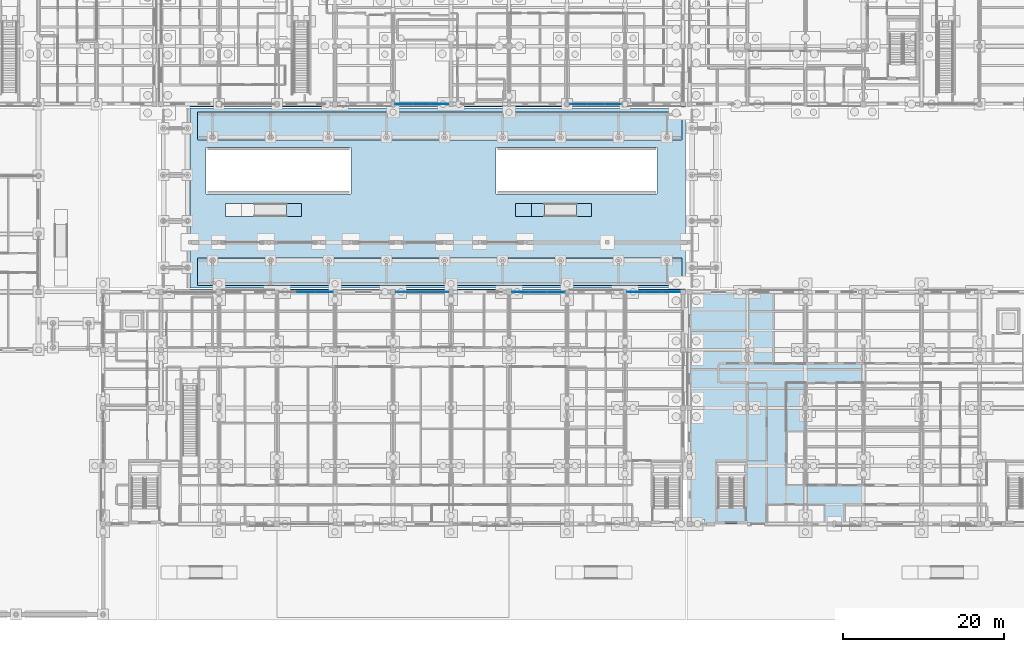
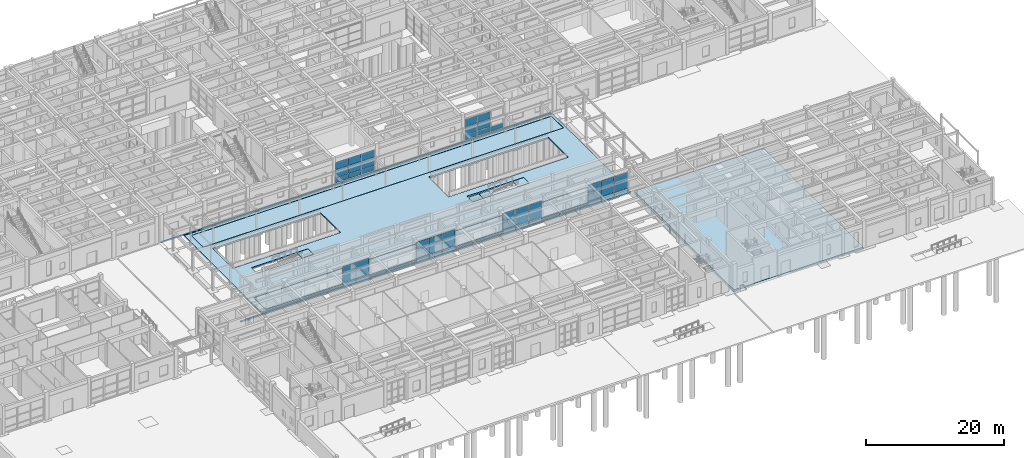
# One storey, part 82 of 143: 49 plates, 10 slabs, 8 elements without a shape of their own.
"""IFC4 building model written with IfcOpenShell, lengths in metres."""

from ifc_helpers import new_model, si_unit, direction, frame, origin, origin_2d, place, context, subcontext, project, spatial, polyline, rectangle, outline, extrude, material, layer, layer_set, type_object, element, aggregate, save


model = new_model("IFC4")

# Units and contexts
model_context = context("Model", 3, precision=1e-05, world=origin(), true_north=direction((0.0, 1.0)))
body_context = subcontext(model_context, "Body", "Model", "MODEL_VIEW")
ifc_project = project(units=[si_unit("LENGTHUNIT", "METRE"), si_unit("AREAUNIT", "SQUARE_METRE"), si_unit("VOLUMEUNIT", "CUBIC_METRE"), si_unit("PLANEANGLEUNIT", "RADIAN"), si_unit("MASSUNIT", "GRAM", prefix="KILO")], contexts=[model_context])

# Site, building, storey
site_placement = place(None, origin())
site = spatial("IfcSite", under=ifc_project, at=site_placement, CompositionType="ELEMENT")
building_placement = place(site_placement, origin())
building = spatial("IfcBuilding", under=site, at=building_placement, Name="Steenspoor Specialist Clinic", CompositionType="ELEMENT")
storey_placement = place(building_placement, origin())
storey = spatial("IfcBuildingStorey", under=building, at=storey_placement, Name="L00", CompositionType="ELEMENT", Elevation=0.0)

# Curtain wall, plates
ifc_material_1 = material(Name="Thermally broken aluminium and low-emissivity glass", Category="aluminium")
curtain_wall_type_1 = type_object("IfcCurtainWallType", Name="CW-TYP-480X355", PredefinedType="USERDEFINED", material=ifc_material_1)
curtain_wall_1_placement = place(storey_placement, origin())
curtain_wall_1 = element("IfcCurtainWall", 1, at=curtain_wall_1_placement, inside=storey, type_object=curtain_wall_type_1, Name="Unitised Curtain Wall CW-V1-L00-012", ObjectType="UNITISED GLAZING", PredefinedType="USERDEFINED")
ifc_material_2 = material(Name="Double low-emissivity insulated glass", Category="glass")
ifc_layer_1 = layer(ifc_material_2, 0.035888671875)
ifc_layer_set_1 = layer_set([ifc_layer_1], Name="Double low-emissivity insulated glass")
plate_type_1 = type_object("IfcPlateType", Name="CW-PAN-GL36", PredefinedType="CURTAIN_PANEL", material=ifc_layer_set_1)
plate_1_placement = place(storey_placement, frame((97.07421875, 41.85009765625, 0.06494140625), z_axis=(0.0, 0.0, 1.0), x_axis=(1.0, 0.0, 0.0)))
plate_1 = element("IfcPlate", 2, at=plate_1_placement, type_object=plate_type_1, Name="CW-12 panel 1.1", PredefinedType="CURTAIN_PANEL", context=body_context, shape_type="SweptSolid", body=[
    extrude(rectangle(XDim=2.08837890625, YDim=0.035888671875, at=origin_2d()), origin(), (0.0, 0.0, 1.0), 0.802490234375),
])
plate_2_placement = place(storey_placement, frame((97.07421875, 41.85009765625, 0.9326171875), z_axis=(0.0, 0.0, 1.0), x_axis=(1.0, 0.0, 0.0)))
plate_2 = element("IfcPlate", 3, at=plate_2_placement, type_object=plate_type_1, Name="CW-12 panel 1.2", PredefinedType="CURTAIN_PANEL", context=body_context, shape_type="SweptSolid", body=[
    extrude(rectangle(XDim=2.08837890625, YDim=0.035888671875, at=origin_2d()), origin(), (0.0, 0.0, 1.0), 1.385009765625),
])
plate_3_placement = place(storey_placement, frame((97.07421875, 41.85009765625, 2.38232421875), z_axis=(0.0, 0.0, 1.0), x_axis=(1.0, 0.0, 0.0)))
plate_3 = element("IfcPlate", 4, at=plate_3_placement, type_object=plate_type_1, Name="CW-12 panel 1.3", PredefinedType="CURTAIN_PANEL", context=body_context, shape_type="SweptSolid", body=[
    extrude(rectangle(XDim=2.08837890625, YDim=0.035888671875, at=origin_2d()), origin(), (0.0, 0.0, 1.0), 1.282470703125),
])
plate_4_placement = place(storey_placement, frame((99.262451171875, 41.85009765625, 0.06494140625), z_axis=(0.0, 0.0, 1.0), x_axis=(1.0, 0.0, 0.0)))
plate_4 = element("IfcPlate", 5, at=plate_4_placement, type_object=plate_type_1, Name="CW-12 panel 2.1", PredefinedType="CURTAIN_PANEL", context=body_context, shape_type="SweptSolid", body=[
    extrude(rectangle(XDim=2.12841796875, YDim=0.035888671875, at=origin_2d()), origin(), (0.0, 0.0, 1.0), 0.802490234375),
])
plate_5_placement = place(storey_placement, frame((99.262451171875, 41.85009765625, 0.9326171875), z_axis=(0.0, 0.0, 1.0), x_axis=(1.0, 0.0, 0.0)))
plate_5 = element("IfcPlate", 6, at=plate_5_placement, type_object=plate_type_1, Name="CW-12 panel 2.2", PredefinedType="CURTAIN_PANEL", context=body_context, shape_type="SweptSolid", body=[
    extrude(rectangle(XDim=2.12841796875, YDim=0.035888671875, at=origin_2d()), origin(), (0.0, 0.0, 1.0), 1.385009765625),
])
plate_6_placement = place(storey_placement, frame((99.262451171875, 41.85009765625, 2.38232421875), z_axis=(0.0, 0.0, 1.0), x_axis=(1.0, 0.0, 0.0)))
plate_6 = element("IfcPlate", 7, at=plate_6_placement, type_object=plate_type_1, Name="CW-12 panel 2.3", PredefinedType="CURTAIN_PANEL", context=body_context, shape_type="SweptSolid", body=[
    extrude(rectangle(XDim=2.12841796875, YDim=0.035888671875, at=origin_2d()), origin(), (0.0, 0.0, 1.0), 1.282470703125),
])
plate_7_placement = place(storey_placement, frame((101.450927734375, 41.85009765625, 0.06494140625), z_axis=(0.0, 0.0, 1.0), x_axis=(1.0, 0.0, 0.0)))
plate_7 = element("IfcPlate", 8, at=plate_7_placement, type_object=plate_type_1, Name="CW-12 panel 3.1", PredefinedType="CURTAIN_PANEL", context=body_context, shape_type="SweptSolid", body=[
    extrude(rectangle(XDim=2.08837890625, YDim=0.035888671875, at=origin_2d()), origin(), (0.0, 0.0, 1.0), 0.802490234375),
])
plate_8_placement = place(storey_placement, frame((101.450927734375, 41.85009765625, 0.9326171875), z_axis=(0.0, 0.0, 1.0), x_axis=(1.0, 0.0, 0.0)))
plate_8 = element("IfcPlate", 9, at=plate_8_placement, type_object=plate_type_1, Name="CW-12 panel 3.2", PredefinedType="CURTAIN_PANEL", context=body_context, shape_type="SweptSolid", body=[
    extrude(rectangle(XDim=2.08837890625, YDim=0.035888671875, at=origin_2d()), origin(), (0.0, 0.0, 1.0), 1.385009765625),
])
plate_9_placement = place(storey_placement, frame((101.450927734375, 41.85009765625, 2.38232421875), z_axis=(0.0, 0.0, 1.0), x_axis=(1.0, 0.0, 0.0)))
plate_9 = element("IfcPlate", 10, at=plate_9_placement, type_object=plate_type_1, Name="CW-12 panel 3.3", PredefinedType="CURTAIN_PANEL", context=body_context, shape_type="SweptSolid", body=[
    extrude(rectangle(XDim=2.08837890625, YDim=0.035888671875, at=origin_2d()), origin(), (0.0, 0.0, 1.0), 1.282470703125),
])
aggregate(curtain_wall_1, [plate_1, plate_2, plate_3, plate_4, plate_5, plate_6, plate_7, plate_8, plate_9])

curtain_wall_type_2 = type_object("IfcCurtainWallType", Name="CW-SCR-480X320", PredefinedType="USERDEFINED", material=ifc_material_1)
curtain_wall_2_placement = place(storey_placement, origin())
curtain_wall_2 = element("IfcCurtainWall", 11, at=curtain_wall_2_placement, inside=storey, type_object=curtain_wall_type_2, Name="Unitised Curtain Wall CW-V4-L00-042", ObjectType="UNITISED GLAZING", PredefinedType="USERDEFINED")
plate_10_placement = place(storey_placement, frame((108.517578125, 65.14990234375, 0.06494140625), z_axis=(0.0, 0.0, 1.0), x_axis=(-1.0, 0.0, 0.0)))
plate_10 = element("IfcPlate", 12, at=plate_10_placement, type_object=plate_type_1, Name="CW-18 panel 1.1", PredefinedType="CURTAIN_PANEL", context=body_context, shape_type="SweptSolid", body=[
    extrude(rectangle(XDim=2.054931640625, YDim=0.035888671875, at=origin_2d()), origin(), (0.0, 0.0, 1.0), 0.802490234375),
])
plate_11_placement = place(storey_placement, frame((106.362548828125, 65.14990234375, 0.06494140625), z_axis=(0.0, 0.0, 1.0), x_axis=(-1.0, 0.0, 0.0)))
plate_11 = element("IfcPlate", 13, at=plate_11_placement, type_object=plate_type_1, Name="CW-18 panel 2.1", PredefinedType="CURTAIN_PANEL", context=body_context, shape_type="SweptSolid", body=[
    extrude(rectangle(XDim=2.094970703125, YDim=0.035888671875, at=origin_2d()), origin(), (0.0, 0.0, 1.0), 0.802490234375),
])
plate_12_placement = place(storey_placement, frame((106.362548828125, 65.14990234375, 0.9326171875), z_axis=(0.0, 0.0, 1.0), x_axis=(-1.0, 0.0, 0.0)))
plate_12 = element("IfcPlate", 14, at=plate_12_placement, type_object=plate_type_1, Name="CW-18 panel 2.2", PredefinedType="CURTAIN_PANEL", context=body_context, shape_type="SweptSolid", body=[
    extrude(rectangle(XDim=2.094970703125, YDim=0.035888671875, at=origin_2d()), origin(), (0.0, 0.0, 1.0), 1.385009765625),
])
plate_13_placement = place(storey_placement, frame((106.362548828125, 65.14990234375, 2.38232421875), z_axis=(0.0, 0.0, 1.0), x_axis=(-1.0, 0.0, 0.0)))
plate_13 = element("IfcPlate", 15, at=plate_13_placement, type_object=plate_type_1, Name="CW-18 panel 2.3", PredefinedType="CURTAIN_PANEL", context=body_context, shape_type="SweptSolid", body=[
    extrude(rectangle(XDim=2.094970703125, YDim=0.035888671875, at=origin_2d()), origin(), (0.0, 0.0, 1.0), 1.282470703125),
])
plate_14_placement = place(storey_placement, frame((104.20751953125, 65.14990234375, 0.06494140625), z_axis=(0.0, 0.0, 1.0), x_axis=(-1.0, 0.0, 0.0)))
plate_14 = element("IfcPlate", 16, at=plate_14_placement, type_object=plate_type_1, Name="CW-18 panel 3.1", PredefinedType="CURTAIN_PANEL", context=body_context, shape_type="SweptSolid", body=[
    extrude(rectangle(XDim=2.054931640625, YDim=0.035888671875, at=origin_2d()), origin(), (0.0, 0.0, 1.0), 0.802490234375),
])
plate_15_placement = place(storey_placement, frame((104.20751953125, 65.14990234375, 0.9326171875), z_axis=(0.0, 0.0, 1.0), x_axis=(-1.0, 0.0, 0.0)))
plate_15 = element("IfcPlate", 17, at=plate_15_placement, type_object=plate_type_1, Name="CW-18 panel 3.2", PredefinedType="CURTAIN_PANEL", context=body_context, shape_type="SweptSolid", body=[
    extrude(rectangle(XDim=2.054931640625, YDim=0.035888671875, at=origin_2d()), origin(), (0.0, 0.0, 1.0), 1.385009765625),
])
plate_16_placement = place(storey_placement, frame((104.20751953125, 65.14990234375, 2.38232421875), z_axis=(0.0, 0.0, 1.0), x_axis=(-1.0, 0.0, 0.0)))
plate_16 = element("IfcPlate", 18, at=plate_16_placement, type_object=plate_type_1, Name="CW-18 panel 3.3", PredefinedType="CURTAIN_PANEL", context=body_context, shape_type="SweptSolid", body=[
    extrude(rectangle(XDim=2.054931640625, YDim=0.035888671875, at=origin_2d()), origin(), (0.0, 0.0, 1.0), 1.282470703125),
])
aggregate(curtain_wall_2, [plate_10, plate_11, plate_12, plate_13, plate_14, plate_15, plate_16])

curtain_wall_type_3 = type_object("IfcCurtainWallType", Name="CW-TYP-650X355", PredefinedType="USERDEFINED", material=ifc_material_1)
curtain_wall_3_placement = place(storey_placement, origin())
curtain_wall_3 = element("IfcCurtainWall", 19, at=curtain_wall_3_placement, inside=storey, type_object=curtain_wall_type_3, Name="Unitised Curtain Wall CW-V1-L00-010", ObjectType="UNITISED GLAZING", PredefinedType="USERDEFINED")
ifc_material_3 = material(Name="Triple acoustic laminated low-emissivity glass", Category="glass")
ifc_layer_2 = layer(ifc_material_3, 0.048095703125)
ifc_layer_set_2 = layer_set([ifc_layer_2], Name="Triple acoustic laminated low-emissivity glass")
plate_type_2 = type_object("IfcPlateType", Name="CW-PAN-GL48", PredefinedType="CURTAIN_PANEL", material=ifc_layer_set_2)
plate_17_placement = place(storey_placement, frame((70.41259765625, 41.85009765625, 0.080078125), z_axis=(0.0, 0.0, 1.0), x_axis=(1.0, 0.0, 0.0)))
plate_17 = element("IfcPlate", 20, at=plate_17_placement, type_object=plate_type_2, Name="CW-10 panel 2.1", PredefinedType="CURTAIN_PANEL", context=body_context, shape_type="SweptSolid", body=[
    extrude(rectangle(XDim=2.181640625, YDim=0.048095703125, at=origin_2d()), origin(), (0.0, 0.0, 1.0), 0.780029296875),
])
plate_18_placement = place(storey_placement, frame((70.41259765625, 41.85009765625, 0.93994140625), z_axis=(0.0, 0.0, 1.0), x_axis=(1.0, 0.0, 0.0)))
plate_18 = element("IfcPlate", 21, at=plate_18_placement, type_object=plate_type_2, Name="CW-10 panel 2.2", PredefinedType="CURTAIN_PANEL", context=body_context, shape_type="SweptSolid", body=[
    extrude(rectangle(XDim=2.181640625, YDim=0.048095703125, at=origin_2d()), origin(), (0.0, 0.0, 1.0), 1.3701171875),
])
plate_19_placement = place(storey_placement, frame((70.41259765625, 41.85009765625, 2.39013671875), z_axis=(0.0, 0.0, 1.0), x_axis=(1.0, 0.0, 0.0)))
plate_19 = element("IfcPlate", 22, at=plate_19_placement, type_object=plate_type_2, Name="CW-10 panel 2.3", PredefinedType="CURTAIN_PANEL", context=body_context, shape_type="SweptSolid", body=[
    extrude(rectangle(XDim=2.181640625, YDim=0.048095703125, at=origin_2d()), origin(), (0.0, 0.0, 1.0), 1.260009765625),
])
plate_20_placement = place(storey_placement, frame((72.63916015625, 41.85009765625, 0.080078125), z_axis=(0.0, 0.0, 1.0), x_axis=(1.0, 0.0, 0.0)))
plate_20 = element("IfcPlate", 23, at=plate_20_placement, type_object=plate_type_2, Name="CW-10 panel 3.1", PredefinedType="CURTAIN_PANEL", context=body_context, shape_type="SweptSolid", body=[
    extrude(rectangle(XDim=2.151611328125, YDim=0.048095703125, at=origin_2d()), origin(), (0.0, 0.0, 1.0), 0.780029296875),
])
plate_21_placement = place(storey_placement, frame((72.63916015625, 41.85009765625, 0.93994140625), z_axis=(0.0, 0.0, 1.0), x_axis=(1.0, 0.0, 0.0)))
plate_21 = element("IfcPlate", 24, at=plate_21_placement, type_object=plate_type_2, Name="CW-10 panel 3.2", PredefinedType="CURTAIN_PANEL", context=body_context, shape_type="SweptSolid", body=[
    extrude(rectangle(XDim=2.151611328125, YDim=0.048095703125, at=origin_2d()), origin(), (0.0, 0.0, 1.0), 1.3701171875),
])
plate_22_placement = place(storey_placement, frame((72.63916015625, 41.85009765625, 2.39013671875), z_axis=(0.0, 0.0, 1.0), x_axis=(1.0, 0.0, 0.0)))
plate_22 = element("IfcPlate", 25, at=plate_22_placement, type_object=plate_type_2, Name="CW-10 panel 3.3", PredefinedType="CURTAIN_PANEL", context=body_context, shape_type="SweptSolid", body=[
    extrude(rectangle(XDim=2.151611328125, YDim=0.048095703125, at=origin_2d()), origin(), (0.0, 0.0, 1.0), 1.260009765625),
])
aggregate(curtain_wall_3, [plate_17, plate_18, plate_19, plate_20, plate_21, plate_22])

curtain_wall_type_4 = type_object("IfcCurtainWallType", Name="CW-TYP-420X355", PredefinedType="USERDEFINED", material=ifc_material_1)
curtain_wall_4_placement = place(storey_placement, origin())
curtain_wall_4 = element("IfcCurtainWall", 26, at=curtain_wall_4_placement, inside=storey, type_object=curtain_wall_type_4, Name="Unitised Curtain Wall CW-V1-L00-013", ObjectType="UNITISED GLAZING", PredefinedType="USERDEFINED")
plate_23_placement = place(storey_placement, frame((111.336669921875, 41.85009765625, 0.06005859375), z_axis=(0.0, 0.0, 1.0), x_axis=(1.0, 0.0, 0.0)))
plate_23 = element("IfcPlate", 27, at=plate_23_placement, type_object=plate_type_2, Name="CW-13 panel 1.1", PredefinedType="CURTAIN_PANEL", context=body_context, shape_type="SweptSolid", body=[
    extrude(rectangle(XDim=2.11328125, YDim=0.048095703125, at=origin_2d()), origin(), (0.0, 0.0, 1.0), 0.81005859375),
])
plate_24_placement = place(storey_placement, frame((111.336669921875, 41.85009765625, 0.93017578125), z_axis=(0.0, 0.0, 1.0), x_axis=(1.0, 0.0, 0.0)))
plate_24 = element("IfcPlate", 28, at=plate_24_placement, type_object=plate_type_2, Name="CW-13 panel 1.2", PredefinedType="CURTAIN_PANEL", context=body_context, shape_type="SweptSolid", body=[
    extrude(rectangle(XDim=2.11328125, YDim=0.048095703125, at=origin_2d()), origin(), (0.0, 0.0, 1.0), 1.389892578125),
])
plate_25_placement = place(storey_placement, frame((111.336669921875, 41.85009765625, 2.3798828125), z_axis=(0.0, 0.0, 1.0), x_axis=(1.0, 0.0, 0.0)))
plate_25 = element("IfcPlate", 29, at=plate_25_placement, type_object=plate_type_2, Name="CW-13 panel 1.3", PredefinedType="CURTAIN_PANEL", context=body_context, shape_type="SweptSolid", body=[
    extrude(rectangle(XDim=2.11328125, YDim=0.048095703125, at=origin_2d()), origin(), (0.0, 0.0, 1.0), 1.2900390625),
])
plate_26_placement = place(storey_placement, frame((113.550048828125, 41.85009765625, 0.06005859375), z_axis=(0.0, 0.0, 1.0), x_axis=(1.0, 0.0, 0.0)))
plate_26 = element("IfcPlate", 30, at=plate_26_placement, type_object=plate_type_2, Name="CW-13 panel 2.1", PredefinedType="CURTAIN_PANEL", context=body_context, shape_type="SweptSolid", body=[
    extrude(rectangle(XDim=2.1533203125, YDim=0.048095703125, at=origin_2d()), origin(), (0.0, 0.0, 1.0), 0.81005859375),
])
plate_27_placement = place(storey_placement, frame((113.550048828125, 41.85009765625, 0.93017578125), z_axis=(0.0, 0.0, 1.0), x_axis=(1.0, 0.0, 0.0)))
plate_27 = element("IfcPlate", 31, at=plate_27_placement, type_object=plate_type_2, Name="CW-13 panel 2.2", PredefinedType="CURTAIN_PANEL", context=body_context, shape_type="SweptSolid", body=[
    extrude(rectangle(XDim=2.1533203125, YDim=0.048095703125, at=origin_2d()), origin(), (0.0, 0.0, 1.0), 1.389892578125),
])
plate_28_placement = place(storey_placement, frame((113.550048828125, 41.85009765625, 2.3798828125), z_axis=(0.0, 0.0, 1.0), x_axis=(1.0, 0.0, 0.0)))
plate_28 = element("IfcPlate", 32, at=plate_28_placement, type_object=plate_type_2, Name="CW-13 panel 2.3", PredefinedType="CURTAIN_PANEL", context=body_context, shape_type="SweptSolid", body=[
    extrude(rectangle(XDim=2.1533203125, YDim=0.048095703125, at=origin_2d()), origin(), (0.0, 0.0, 1.0), 1.2900390625),
])
plate_29_placement = place(storey_placement, frame((115.763427734375, 41.85009765625, 0.06005859375), z_axis=(0.0, 0.0, 1.0), x_axis=(1.0, 0.0, 0.0)))
plate_29 = element("IfcPlate", 33, at=plate_29_placement, type_object=plate_type_2, Name="CW-13 panel 3.1", PredefinedType="CURTAIN_PANEL", context=body_context, shape_type="SweptSolid", body=[
    extrude(rectangle(XDim=2.11328125, YDim=0.048095703125, at=origin_2d()), origin(), (0.0, 0.0, 1.0), 0.81005859375),
])
plate_30_placement = place(storey_placement, frame((115.763427734375, 41.85009765625, 0.93017578125), z_axis=(0.0, 0.0, 1.0), x_axis=(1.0, 0.0, 0.0)))
plate_30 = element("IfcPlate", 34, at=plate_30_placement, type_object=plate_type_2, Name="CW-13 panel 3.2", PredefinedType="CURTAIN_PANEL", context=body_context, shape_type="SweptSolid", body=[
    extrude(rectangle(XDim=2.11328125, YDim=0.048095703125, at=origin_2d()), origin(), (0.0, 0.0, 1.0), 1.389892578125),
])
plate_31_placement = place(storey_placement, frame((115.763427734375, 41.85009765625, 2.3798828125), z_axis=(0.0, 0.0, 1.0), x_axis=(1.0, 0.0, 0.0)))
plate_31 = element("IfcPlate", 35, at=plate_31_placement, type_object=plate_type_2, Name="CW-13 panel 3.3", PredefinedType="CURTAIN_PANEL", context=body_context, shape_type="SweptSolid", body=[
    extrude(rectangle(XDim=2.11328125, YDim=0.048095703125, at=origin_2d()), origin(), (0.0, 0.0, 1.0), 1.2900390625),
])
aggregate(curtain_wall_4, [plate_23, plate_24, plate_25, plate_26, plate_27, plate_28, plate_29, plate_30, plate_31])

curtain_wall_type_5 = type_object("IfcCurtainWallType", Name="CW-SCR-360X320", PredefinedType="USERDEFINED", material=ifc_material_1)
curtain_wall_5_placement = place(storey_placement, origin())
curtain_wall_5 = element("IfcCurtainWall", 36, at=curtain_wall_5_placement, inside=storey, type_object=curtain_wall_type_5, Name="Unitised Curtain Wall CW-V4-L00-043", ObjectType="UNITISED GLAZING", PredefinedType="USERDEFINED")
plate_32_placement = place(storey_placement, frame((86.98828125, 65.14990234375, 0.06005859375), z_axis=(0.0, 0.0, 1.0), x_axis=(-1.0, 0.0, 0.0)))
plate_32 = element("IfcPlate", 37, at=plate_32_placement, type_object=plate_type_2, Name="CW-19 panel 1.1", PredefinedType="CURTAIN_PANEL", context=body_context, shape_type="SweptSolid", body=[
    extrude(rectangle(XDim=2.11328125, YDim=0.048095703125, at=origin_2d()), origin(), (0.0, 0.0, 1.0), 0.81005859375),
])
plate_33_placement = place(storey_placement, frame((86.98828125, 65.14990234375, 0.93017578125), z_axis=(0.0, 0.0, 1.0), x_axis=(-1.0, 0.0, 0.0)))
plate_33 = element("IfcPlate", 38, at=plate_33_placement, type_object=plate_type_2, Name="CW-19 panel 1.2", PredefinedType="CURTAIN_PANEL", context=body_context, shape_type="SweptSolid", body=[
    extrude(rectangle(XDim=2.11328125, YDim=0.048095703125, at=origin_2d()), origin(), (0.0, 0.0, 1.0), 1.389892578125),
])
plate_34_placement = place(storey_placement, frame((86.98828125, 65.14990234375, 2.3798828125), z_axis=(0.0, 0.0, 1.0), x_axis=(-1.0, 0.0, 0.0)))
plate_34 = element("IfcPlate", 39, at=plate_34_placement, type_object=plate_type_2, Name="CW-19 panel 1.3", PredefinedType="CURTAIN_PANEL", context=body_context, shape_type="SweptSolid", body=[
    extrude(rectangle(XDim=2.11328125, YDim=0.048095703125, at=origin_2d()), origin(), (0.0, 0.0, 1.0), 1.2900390625),
])
plate_35_placement = place(storey_placement, frame((84.77490234375, 65.14990234375, 0.06005859375), z_axis=(0.0, 0.0, 1.0), x_axis=(-1.0, 0.0, 0.0)))
plate_35 = element("IfcPlate", 40, at=plate_35_placement, type_object=plate_type_2, Name="CW-19 panel 2.1", PredefinedType="CURTAIN_PANEL", context=body_context, shape_type="SweptSolid", body=[
    extrude(rectangle(XDim=2.1533203125, YDim=0.048095703125, at=origin_2d()), origin(), (0.0, 0.0, 1.0), 0.81005859375),
])
plate_36_placement = place(storey_placement, frame((84.77490234375, 65.14990234375, 0.93017578125), z_axis=(0.0, 0.0, 1.0), x_axis=(-1.0, 0.0, 0.0)))
plate_36 = element("IfcPlate", 41, at=plate_36_placement, type_object=plate_type_2, Name="CW-19 panel 2.2", PredefinedType="CURTAIN_PANEL", context=body_context, shape_type="SweptSolid", body=[
    extrude(rectangle(XDim=2.1533203125, YDim=0.048095703125, at=origin_2d()), origin(), (0.0, 0.0, 1.0), 1.389892578125),
])
plate_37_placement = place(storey_placement, frame((84.77490234375, 65.14990234375, 2.3798828125), z_axis=(0.0, 0.0, 1.0), x_axis=(-1.0, 0.0, 0.0)))
plate_37 = element("IfcPlate", 42, at=plate_37_placement, type_object=plate_type_2, Name="CW-19 panel 2.3", PredefinedType="CURTAIN_PANEL", context=body_context, shape_type="SweptSolid", body=[
    extrude(rectangle(XDim=2.1533203125, YDim=0.048095703125, at=origin_2d()), origin(), (0.0, 0.0, 1.0), 1.2900390625),
])
plate_38_placement = place(storey_placement, frame((82.561767578125, 65.14990234375, 0.06005859375), z_axis=(0.0, 0.0, 1.0), x_axis=(-1.0, 0.0, 0.0)))
plate_38 = element("IfcPlate", 43, at=plate_38_placement, type_object=plate_type_2, Name="CW-19 panel 3.1", PredefinedType="CURTAIN_PANEL", context=body_context, shape_type="SweptSolid", body=[
    extrude(rectangle(XDim=2.11328125, YDim=0.048095703125, at=origin_2d()), origin(), (0.0, 0.0, 1.0), 0.81005859375),
])
plate_39_placement = place(storey_placement, frame((82.561767578125, 65.14990234375, 0.93017578125), z_axis=(0.0, 0.0, 1.0), x_axis=(-1.0, 0.0, 0.0)))
plate_39 = element("IfcPlate", 44, at=plate_39_placement, type_object=plate_type_2, Name="CW-19 panel 3.2", PredefinedType="CURTAIN_PANEL", context=body_context, shape_type="SweptSolid", body=[
    extrude(rectangle(XDim=2.11328125, YDim=0.048095703125, at=origin_2d()), origin(), (0.0, 0.0, 1.0), 1.389892578125),
])
plate_40_placement = place(storey_placement, frame((82.561767578125, 65.14990234375, 2.3798828125), z_axis=(0.0, 0.0, 1.0), x_axis=(-1.0, 0.0, 0.0)))
plate_40 = element("IfcPlate", 45, at=plate_40_placement, type_object=plate_type_2, Name="CW-19 panel 3.3", PredefinedType="CURTAIN_PANEL", context=body_context, shape_type="SweptSolid", body=[
    extrude(rectangle(XDim=2.11328125, YDim=0.048095703125, at=origin_2d()), origin(), (0.0, 0.0, 1.0), 1.2900390625),
])
aggregate(curtain_wall_5, [plate_32, plate_33, plate_34, plate_35, plate_36, plate_37, plate_38, plate_39, plate_40])

curtain_wall_type_6 = type_object("IfcCurtainWallType", Name="CW-TYP-540X355", PredefinedType="USERDEFINED", material=ifc_material_1)
curtain_wall_6_placement = place(storey_placement, origin())
curtain_wall_6 = element("IfcCurtainWall", 46, at=curtain_wall_6_placement, inside=storey, type_object=curtain_wall_type_6, Name="Unitised Curtain Wall CW-V1-L00-011", ObjectType="UNITISED GLAZING", PredefinedType="USERDEFINED")
ifc_material_4 = material(Name="Insulated glazed ceramic spandrel panel", Category="glass")
ifc_layer_3 = layer(ifc_material_4, 0.074951171875)
ifc_layer_set_3 = layer_set([ifc_layer_3], Name="Insulated glazed ceramic spandrel panel")
plate_type_3 = type_object("IfcPlateType", Name="CW-PAN-SP75", PredefinedType="CURTAIN_PANEL", material=ifc_layer_set_3)
plate_41_placement = place(storey_placement, frame((82.630859375, 41.85009765625, 0.070068359375), z_axis=(0.0, 0.0, 1.0), x_axis=(1.0, 0.0, 0.0)))
plate_41 = element("IfcPlate", 47, at=plate_41_placement, type_object=plate_type_3, Name="CW-11 panel 1.1", PredefinedType="CURTAIN_PANEL", context=body_context, shape_type="SweptSolid", body=[
    extrude(rectangle(XDim=2.081787109375, YDim=0.074951171875, at=origin_2d()), origin(), (0.0, 0.0, 1.0), 0.794921875),
])
plate_42_placement = place(storey_placement, frame((82.630859375, 41.85009765625, 0.93505859375), z_axis=(0.0, 0.0, 1.0), x_axis=(1.0, 0.0, 0.0)))
plate_42 = element("IfcPlate", 48, at=plate_42_placement, type_object=plate_type_3, Name="CW-11 panel 1.2", PredefinedType="CURTAIN_PANEL", context=body_context, shape_type="SweptSolid", body=[
    extrude(rectangle(XDim=2.081787109375, YDim=0.074951171875, at=origin_2d()), origin(), (0.0, 0.0, 1.0), 1.3798828125),
])
plate_43_placement = place(storey_placement, frame((82.630859375, 41.85009765625, 2.385009765625), z_axis=(0.0, 0.0, 1.0), x_axis=(1.0, 0.0, 0.0)))
plate_43 = element("IfcPlate", 49, at=plate_43_placement, type_object=plate_type_3, Name="CW-11 panel 1.3", PredefinedType="CURTAIN_PANEL", context=body_context, shape_type="SweptSolid", body=[
    extrude(rectangle(XDim=2.081787109375, YDim=0.074951171875, at=origin_2d()), origin(), (0.0, 0.0, 1.0), 1.27490234375),
])
plate_44_placement = place(storey_placement, frame((84.824951171875, 41.85009765625, 0.070068359375), z_axis=(0.0, 0.0, 1.0), x_axis=(1.0, 0.0, 0.0)))
plate_44 = element("IfcPlate", 50, at=plate_44_placement, type_object=plate_type_3, Name="CW-11 panel 2.1", PredefinedType="CURTAIN_PANEL", context=body_context, shape_type="SweptSolid", body=[
    extrude(rectangle(XDim=2.126708984375, YDim=0.074951171875, at=origin_2d()), origin(), (0.0, 0.0, 1.0), 0.794921875),
])
plate_45_placement = place(storey_placement, frame((84.824951171875, 41.85009765625, 0.93505859375), z_axis=(0.0, 0.0, 1.0), x_axis=(1.0, 0.0, 0.0)))
plate_45 = element("IfcPlate", 51, at=plate_45_placement, type_object=plate_type_3, Name="CW-11 panel 2.2", PredefinedType="CURTAIN_PANEL", context=body_context, shape_type="SweptSolid", body=[
    extrude(rectangle(XDim=2.126708984375, YDim=0.074951171875, at=origin_2d()), origin(), (0.0, 0.0, 1.0), 1.3798828125),
])
plate_46_placement = place(storey_placement, frame((84.824951171875, 41.85009765625, 2.385009765625), z_axis=(0.0, 0.0, 1.0), x_axis=(1.0, 0.0, 0.0)))
plate_46 = element("IfcPlate", 52, at=plate_46_placement, type_object=plate_type_3, Name="CW-11 panel 2.3", PredefinedType="CURTAIN_PANEL", context=body_context, shape_type="SweptSolid", body=[
    extrude(rectangle(XDim=2.126708984375, YDim=0.074951171875, at=origin_2d()), origin(), (0.0, 0.0, 1.0), 1.27490234375),
])
plate_47_placement = place(storey_placement, frame((87.019287109375, 41.85009765625, 0.070068359375), z_axis=(0.0, 0.0, 1.0), x_axis=(1.0, 0.0, 0.0)))
plate_47 = element("IfcPlate", 53, at=plate_47_placement, type_object=plate_type_3, Name="CW-11 panel 3.1", PredefinedType="CURTAIN_PANEL", context=body_context, shape_type="SweptSolid", body=[
    extrude(rectangle(XDim=2.081787109375, YDim=0.074951171875, at=origin_2d()), origin(), (0.0, 0.0, 1.0), 0.794921875),
])
plate_48_placement = place(storey_placement, frame((87.019287109375, 41.85009765625, 0.93505859375), z_axis=(0.0, 0.0, 1.0), x_axis=(1.0, 0.0, 0.0)))
plate_48 = element("IfcPlate", 54, at=plate_48_placement, type_object=plate_type_3, Name="CW-11 panel 3.2", PredefinedType="CURTAIN_PANEL", context=body_context, shape_type="SweptSolid", body=[
    extrude(rectangle(XDim=2.081787109375, YDim=0.074951171875, at=origin_2d()), origin(), (0.0, 0.0, 1.0), 1.3798828125),
])
plate_49_placement = place(storey_placement, frame((87.019287109375, 41.85009765625, 2.385009765625), z_axis=(0.0, 0.0, 1.0), x_axis=(1.0, 0.0, 0.0)))
plate_49 = element("IfcPlate", 55, at=plate_49_placement, type_object=plate_type_3, Name="CW-11 panel 3.3", PredefinedType="CURTAIN_PANEL", context=body_context, shape_type="SweptSolid", body=[
    extrude(rectangle(XDim=2.081787109375, YDim=0.074951171875, at=origin_2d()), origin(), (0.0, 0.0, 1.0), 1.27490234375),
])
aggregate(curtain_wall_6, [plate_41, plate_42, plate_43, plate_44, plate_45, plate_46, plate_47, plate_48, plate_49])

# Slabs
ifc_material_5 = material(Name="Concrete C35/45", Category="concrete")
ifc_layer_4 = layer(ifc_material_5, 0.449951171875)
ifc_layer_set_4 = layer_set([ifc_layer_4], Name="Concrete C35/45")
slab_type_1 = type_object("IfcSlabType", Name="SL-MRI-450", PredefinedType="BASESLAB", material=ifc_layer_set_4)
slab_1_placement = place(storey_placement, frame((0.0, 0.0, -0.449951171875)))
element("IfcSlab", 56, at=slab_1_placement, inside=storey, type_object=slab_type_1, Name="Structural Slab SLAB-V2-L00-008", PredefinedType="BASESLAB", context=body_context, shape_type="SweptSolid", body=[
    extrude(outline(polyline([(118.0, 41.85009765625), (139.60009765625, 41.85009765625), (139.60009765625, 13.050048828125), (119.85009765625, 13.050048828125), (119.85009765625, 13.60009765625), (119.199951171875, 13.60009765625), (119.199951171875, 13.050048828125), (118.0, 13.050048828125), (118.0, 41.85009765625)])), origin(), (0.0, 0.0, 1.0), 0.449951171875),
])
ifc_layer_5 = layer(ifc_material_5, 0.25)
ifc_layer_set_5 = layer_set([ifc_layer_5], Name="Concrete C35/45")
slab_type_2 = type_object("IfcSlabType", Name="SL-PLAZA-250", PredefinedType="BASESLAB", material=ifc_layer_set_5)
slab_2_placement = place(storey_placement, frame((0.0, 0.0, -0.550048828125)))
element("IfcSlab", 57, at=slab_2_placement, inside=storey, type_object=slab_type_2, Name="Outdoor Drop-Off Ramp Kerb Paving Slab APRON-RMP-06", PredefinedType="BASESLAB", context=body_context, shape_type="SweptSolid", body=[
    extrude(outline(polyline([(98.3798828125, 51.199951171875), (98.3798828125, 52.800048828125), (96.39990234375, 52.800048828125), (96.39990234375, 51.199951171875), (98.3798828125, 51.199951171875)])), origin(), (0.0, 0.0, 1.0), 0.25),
])
slab_3_placement = place(storey_placement, frame((0.0, 0.0, -0.25)))
element("IfcSlab", 58, at=slab_3_placement, inside=storey, type_object=slab_type_2, Name="Outdoor Campus Plaza Paving Slab PLAZA-CENTRAL-COURT-04", PredefinedType="BASESLAB", context=body_context, shape_type="SweptSolid", body=[
    extrude(outline(polyline([(52.35009765625, 65.10009765625), (117.5, 65.10009765625), (117.5, 64.85009765625), (56.02001953125, 64.85009765625), (56.02001953125, 64.969970703125), (52.3798828125, 64.969970703125), (52.3798828125, 64.85009765625), (52.35009765625, 64.85009765625), (52.35009765625, 65.10009765625)])), origin(), (0.0, 0.0, 1.0), 0.25),
])
slab_4_placement = place(storey_placement, frame((0.0, 0.0, -0.25)))
element("IfcSlab", 59, at=slab_4_placement, inside=storey, type_object=slab_type_2, Name="Outdoor Campus Plaza Paving Slab PLAZA-CENTRAL-COURT-06", PredefinedType="BASESLAB", context=body_context, shape_type="SweptSolid", body=[
    extrude(outline(polyline([(52.35009765625, 41.89990234375), (52.35009765625, 42.14990234375), (52.3798828125, 42.14990234375), (52.3798828125, 42.030029296875), (56.02001953125, 42.030029296875), (56.02001953125, 42.14990234375), (117.5, 42.14990234375), (117.5, 41.89990234375), (52.35009765625, 41.89990234375)])), origin(), (0.0, 0.0, 1.0), 0.25),
])
slab_5_placement = place(storey_placement, frame((0.0, 0.0, -0.25)))
element("IfcSlab", 60, at=slab_5_placement, inside=storey, type_object=slab_type_2, Name="Outdoor Campus Plaza Paving Slab PLAZA-CENTRAL-COURT-08", PredefinedType="BASESLAB", context=body_context, shape_type="SweptSolid", body=[
    extrude(outline(polyline([(117.5, 64.64990234375), (117.5, 42.35009765625), (56.02001953125, 42.35009765625), (56.02001953125, 64.64990234375), (117.5, 64.64990234375)]), holes=[polyline([(69.8701171875, 51.179931640625), (69.8701171875, 52.820068359375), (60.3798828125, 52.820068359375), (60.3798828125, 51.179931640625), (69.8701171875, 51.179931640625)]), polyline([(76.0, 54.0), (76.0, 59.800048828125), (58.0, 59.800048828125), (58.0, 54.0), (76.0, 54.0)]), polyline([(117.070068359375, 42.6298828125), (117.070068359375, 46.070068359375), (56.929931640625, 46.070068359375), (56.929931640625, 42.6298828125), (117.070068359375, 42.6298828125)]), polyline([(105.8701171875, 51.179931640625), (105.8701171875, 52.820068359375), (96.3798828125, 52.820068359375), (96.3798828125, 51.179931640625), (105.8701171875, 51.179931640625)]), polyline([(114.0, 54.0), (114.0, 59.800048828125), (94.0, 59.800048828125), (94.0, 54.0), (114.0, 54.0)]), polyline([(117.070068359375, 60.72998046875), (117.070068359375, 64.169921875), (56.929931640625, 64.169921875), (56.929931640625, 60.72998046875), (117.070068359375, 60.72998046875)])]), origin(), (0.0, 0.0, 1.0), 0.25),
])

# Ramp, slab
ramp_type = type_object("IfcRampType", Name="RAMP-CONADI-075", PredefinedType="STRAIGHT_RUN_RAMP", material=ifc_material_5)
ramp_1_placement = place(storey_placement, origin())
ramp_1 = element("IfcRamp", 61, at=ramp_1_placement, inside=storey, type_object=ramp_type, Name="Accessible Ramp RMP-05", PredefinedType="STRAIGHT_RUN_RAMP")
ifc_layer_6 = layer(ifc_material_5, 0.159912109375)
ifc_layer_set_6 = layer_set([ifc_layer_6], Name="Concrete C35/45")
slab_type_3 = type_object("IfcSlabType", Name="SL-RLAND-160", PredefinedType="LANDING", material=ifc_layer_set_6)
slab_6_placement = place(storey_placement, frame((0.0, 0.0, -0.159912109375)))
slab_6 = element("IfcSlab", 62, at=slab_6_placement, type_object=slab_type_3, Name="Ramp Top Landing RMP-05", PredefinedType="LANDING", context=body_context, shape_type="SweptSolid", body=[
    extrude(outline(polyline([(68.0, 51.199951171875), (69.85009765625, 51.199951171875), (69.85009765625, 52.800048828125), (68.0, 52.800048828125), (68.0, 51.199951171875)])), origin(), (0.0, 0.0, 1.0), 0.159912109375),
])
aggregate(ramp_1, [slab_6])

# Ramp, slabs
ramp_2_placement = place(storey_placement, origin())
ramp_2 = element("IfcRamp", 63, at=ramp_2_placement, inside=storey, type_object=ramp_type, Name="Accessible Ramp RMP-06", PredefinedType="STRAIGHT_RUN_RAMP")
slab_7_placement = place(storey_placement, frame((0.0, 0.0, -0.159912109375)))
slab_7 = element("IfcSlab", 64, at=slab_7_placement, type_object=slab_type_3, Name="Ramp Top Landing RMP-06", PredefinedType="LANDING", context=body_context, shape_type="SweptSolid", body=[
    extrude(outline(polyline([(104.0, 51.199951171875), (105.85009765625, 51.199951171875), (105.85009765625, 52.800048828125), (104.0, 52.800048828125), (104.0, 51.199951171875)])), origin(), (0.0, 0.0, 1.0), 0.159912109375),
])
slab_8_placement = place(storey_placement, frame((0.0, 0.0, -0.4599609375)))
slab_8 = element("IfcSlab", 65, at=slab_8_placement, type_object=slab_type_3, Name="Ramp Bottom Landing RMP-06", PredefinedType="LANDING", context=body_context, shape_type="SweptSolid", body=[
    extrude(outline(polyline([(98.39990234375, 51.199951171875), (100.0, 51.199951171875), (100.0, 52.800048828125), (98.39990234375, 52.800048828125), (98.39990234375, 51.199951171875)])), origin(), (0.0, 0.0, 1.0), 0.159912109375),
])
aggregate(ramp_2, [slab_7, slab_8])

# Slabs
ifc_layer_7 = layer(ifc_material_5, 0.18994140625)
ifc_layer_set_7 = layer_set([ifc_layer_7], Name="Concrete C35/45")
slab_type_4 = type_object("IfcSlabType", Name="SL-WALK-190", PredefinedType="FLOOR", material=ifc_layer_set_7)
slab_9_placement = place(storey_placement, frame((0.0, 0.0, -0.18994140625)))
element("IfcSlab", 66, at=slab_9_placement, inside=storey, type_object=slab_type_4, Name="Central Courtyard North Covered Timber Garden Walkway Terrace Deck", PredefinedType="FLOOR", context=body_context, shape_type="SweptSolid", body=[
    extrude(outline(polyline([(117.050048828125, 60.75), (117.050048828125, 64.14990234375), (56.949951171875, 64.14990234375), (56.949951171875, 60.75), (117.050048828125, 60.75)])), origin(), (0.0, 0.0, 1.0), 0.18994140625),
])
slab_10_placement = place(storey_placement, frame((0.0, 0.0, -0.18994140625)))
element("IfcSlab", 67, at=slab_10_placement, inside=storey, type_object=slab_type_4, Name="Central Courtyard South Covered Timber Garden Walkway Terrace Deck", PredefinedType="FLOOR", context=body_context, shape_type="SweptSolid", body=[
    extrude(outline(polyline([(117.050048828125, 42.64990234375), (117.050048828125, 46.050048828125), (56.949951171875, 46.050048828125), (56.949951171875, 42.64990234375), (117.050048828125, 42.64990234375)])), origin(), (0.0, 0.0, 1.0), 0.18994140625),
])

save(model, "model.ifc")
